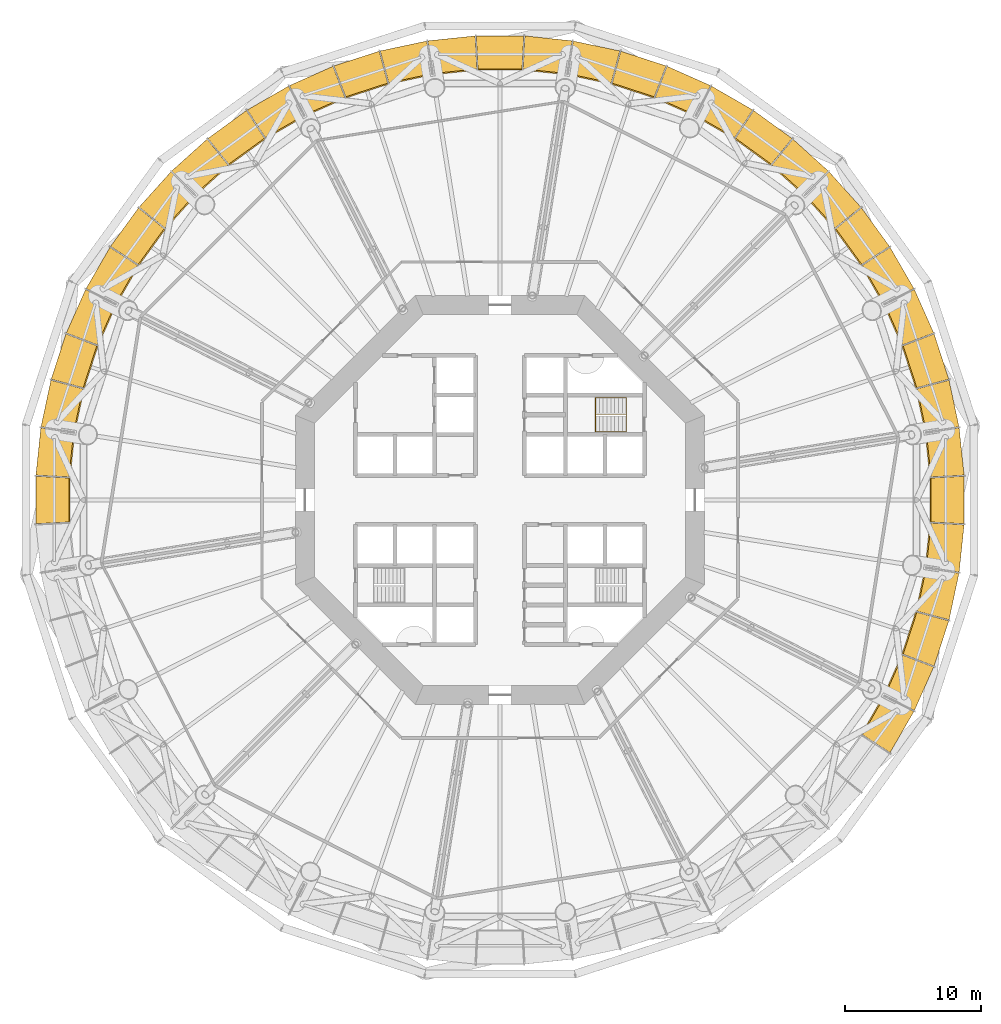
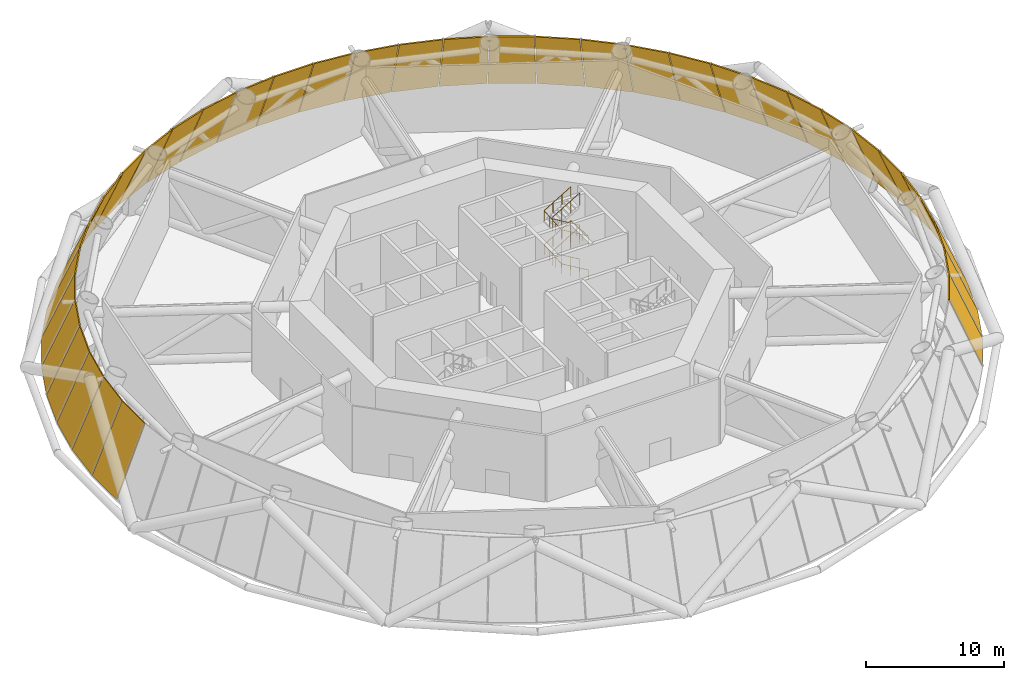
# One storey, part 14 of 14: 36 shading devices, 2 railings.
"""IFC4 building model written with IfcOpenShell, lengths in metres."""

from ifc_helpers import new_model, si_unit, direction, frame, origin, origin_2d, place, context, subcontext, project, spatial, polyline, circle, outline, extrude, material, layer, layer_set, type_object, element, save


model = new_model("IFC4")

# Units and contexts
model_context = context("Model", 3, precision=1e-05, world=origin(), true_north=direction((0.0, 1.0)))
body_context = subcontext(model_context, "Body", "Model", "MODEL_VIEW")
ifc_project = project(units=[si_unit("LENGTHUNIT", "METRE"), si_unit("AREAUNIT", "SQUARE_METRE"), si_unit("VOLUMEUNIT", "CUBIC_METRE"), si_unit("PLANEANGLEUNIT", "RADIAN"), si_unit("MASSUNIT", "GRAM", prefix="KILO")], contexts=[model_context])

# Site, building, storey
site_placement = place(None, origin())
site = spatial("IfcSite", under=ifc_project, at=site_placement, CompositionType="ELEMENT")
building_placement = place(site_placement, origin())
building = spatial("IfcBuilding", under=site, at=building_placement, Name="Entoto Ring Tower", CompositionType="ELEMENT")
storey_placement = place(building_placement, frame((0.0, 0.0, 74.0)))
storey = spatial("IfcBuildingStorey", under=building, at=storey_placement, Name="L16", CompositionType="ELEMENT", Elevation=74.0)

# Shading devices
ifc_material_1 = material(Name="Anodised aluminium", Category="aluminium")
ifc_layer = layer(ifc_material_1, 0.10009765625)
ifc_layer_set = layer_set([ifc_layer], Name="Anodised aluminium")
shading_device_type = type_object("IfcShadingDeviceType", Name="Louvre bank 100 mm anodised aluminium", PredefinedType="JALOUSIE", material=ifc_layer_set)
shading_device_1_placement = place(storey_placement, frame((123.664306640625, 85.372314453125, 0.03857421875), z_axis=(0.902909987231, 0.19190524491, 0.384611403803), x_axis=(-0.20789020714, 0.978152166843, -1.6606017e-05)))
element("IfcShadingDevice", 1, at=shading_device_1_placement, inside=storey, type_object=shading_device_type, Name="LOUVRE L16-00", PredefinedType="JALOUSIE", context=body_context, shape_type="SweptSolid", body=[
    extrude(outline(polyline([(0.0, 0.0), (3.4885416872972406, 5.551115123125783e-17), (3.361411349583946, 6.295866216661748), (0.12688706960633642, 6.295745269922052), (0.0, 0.0)])), origin(), (0.0, 0.0, -1.0), 0.10009765625),
])
shading_device_2_placement = place(storey_placement, frame((122.91845703125, 88.86181640625, 0.03857421875), z_axis=(0.877892095982, 0.285267163191, 0.384614239749), x_axis=(-0.309042211234, 0.951048322442, 7.429695e-06)))
element("IfcShadingDevice", 2, at=shading_device_2_placement, inside=storey, type_object=shading_device_type, Name="LOUVRE L16-01", PredefinedType="JALOUSIE", context=body_context, shape_type="SweptSolid", body=[
    extrude(outline(polyline([(0.0, 0.0), (3.488409682245697, 0.0), (3.3616604780128694, 6.295786746509325), (0.1271810650329989, 6.295840857918346), (0.0, 0.0)])), origin(), (0.0, 0.0, -1.0), 0.10009765625),
])
shading_device_3_placement = place(storey_placement, frame((121.811767578125, 92.254150390625, 0.03857421875), z_axis=(0.843278285989, 0.375449562023, 0.384602858486), x_axis=(-0.406734877609, 0.913546243677, 3.98764e-07)))
element("IfcShadingDevice", 3, at=shading_device_3_placement, inside=storey, type_object=shading_device_type, Name="LOUVRE L16-02", PredefinedType="JALOUSIE", context=body_context, shape_type="SweptSolid", body=[
    extrude(outline(polyline([(0.0, 0.0), (3.488617132231978, -1.1102230246251565e-16), (3.3616704553291115, 6.295780008429408), (0.12693950100770324, 6.2957829128638085), (0.0, 0.0)])), origin(), (0.0, 0.0, -1.0), 0.10009765625),
])
shading_device_4_placement = place(storey_placement, frame((120.3564453125, 95.512451171875, 0.03857421875), z_axis=(0.799417979185, 0.461522422736, 0.384614024533), x_axis=(-0.499983906631, 0.866034695085, 4.403413e-06)))
element("IfcShadingDevice", 4, at=shading_device_4_placement, inside=storey, type_object=shading_device_type, Name="LOUVRE L16-03", PredefinedType="JALOUSIE", context=body_context, shape_type="SweptSolid", body=[
    extrude(outline(polyline([(0.0, 0.0), (3.488329674304471, 0.0), (3.361186870779202, 6.29579715813311), (0.12662254242796223, 6.2958292287652196), (0.0, 0.0)])), origin(), (0.0, 0.0, -1.0), 0.10009765625),
])
shading_device_5_placement = place(storey_placement, frame((118.56884765625, 98.6005859375, 0.03857421875), z_axis=(0.746783475485, 0.542572822255, 0.384615617587), x_axis=(-0.587793049186, 0.809011329362, 1.7097404e-05)))
element("IfcShadingDevice", 5, at=shading_device_5_placement, inside=storey, type_object=shading_device_type, Name="LOUVRE L16-04", PredefinedType="JALOUSIE", context=body_context, shape_type="SweptSolid", body=[
    extrude(outline(polyline([(0.0, 0.0), (3.488338812551327, 0.0), (3.3615499775216637, 6.2957554571779415), (0.12694623888782516, 6.29587998079726), (0.0, 0.0)])), origin(), (0.0, 0.0, -1.0), 0.10009765625),
])
shading_device_6_placement = place(storey_placement, frame((116.468017578125, 101.48486328125, 0.03857421875), z_axis=(0.685973480433, 0.617657708682, 0.384628832835), x_axis=(-0.669135771194, 0.743140174962, 8.153709e-06)))
element("IfcShadingDevice", 6, at=shading_device_6_placement, inside=storey, type_object=shading_device_type, Name="LOUVRE L16-05", PredefinedType="JALOUSIE", context=body_context, shape_type="SweptSolid", body=[
    extrude(outline(polyline([(0.0, 0.0), (3.488347042512042, -1.1102230246251565e-16), (3.3615065061916796, 6.295825583545586), (0.12692477418292608, 6.295884968780477), (0.0, 0.0)])), origin(), (0.0, 0.0, -1.0), 0.10009765625),
])
shading_device_7_placement = place(storey_placement, frame((114.0771484375, 104.1337890625, 0.03857421875), z_axis=(0.617657708682, 0.685973480433, 0.384628832835), x_axis=(-0.743140174962, 0.669135771194, -8.153709e-06)))
element("IfcShadingDevice", 7, at=shading_device_7_placement, inside=storey, type_object=shading_device_type, Name="LOUVRE L16-06", PredefinedType="JALOUSIE", context=body_context, shape_type="SweptSolid", body=[
    extrude(outline(polyline([(0.0, 0.0), (3.488347042512042, 1.1102230246251565e-16), (3.361422268329115, 6.295884968780477), (0.12684053632036169, 6.295825583545586), (0.0, 0.0)])), origin(), (0.0, 0.0, -1.0), 0.10009765625),
])
shading_device_8_placement = place(storey_placement, frame((111.422607421875, 106.518310546875, 0.03857421875), z_axis=(0.542572822255, 0.746783475485, 0.384615617587), x_axis=(-0.809011329362, 0.587793049186, -1.7097404e-05)))
element("IfcShadingDevice", 8, at=shading_device_8_placement, inside=storey, type_object=shading_device_type, Name="LOUVRE L16-07", PredefinedType="JALOUSIE", context=body_context, shape_type="SweptSolid", body=[
    extrude(outline(polyline([(0.0, 0.0), (3.488338812551327, 0.0), (3.361392573663502, 6.29587998079726), (0.12678883502966345, 6.295755457177941), (0.0, 0.0)])), origin(), (0.0, 0.0, -1.0), 0.10009765625),
])
shading_device_9_placement = place(storey_placement, frame((108.533447265625, 108.6123046875, 0.03857421875), z_axis=(0.461522422736, 0.799417979185, 0.384614024533), x_axis=(-0.866034695085, 0.499983906631, -4.403413e-06)))
element("IfcShadingDevice", 9, at=shading_device_9_placement, inside=storey, type_object=shading_device_type, Name="LOUVRE L16-08", PredefinedType="JALOUSIE", context=body_context, shape_type="SweptSolid", body=[
    extrude(outline(polyline([(0.0, 0.0), (3.488329674304471, 0.0), (3.361707131876509, 6.2958292287652196), (0.12714280352526897, 6.29579715813311), (0.0, 0.0)])), origin(), (0.0, 0.0, -1.0), 0.10009765625),
])
shading_device_10_placement = place(storey_placement, frame((105.441162109375, 110.392822265625, 0.03857421875), z_axis=(0.375449562023, 0.843278285989, 0.384602858486), x_axis=(-0.913546243677, 0.406734877609, -3.98764e-07)))
element("IfcShadingDevice", 10, at=shading_device_10_placement, inside=storey, type_object=shading_device_type, Name="LOUVRE L16-09", PredefinedType="JALOUSIE", context=body_context, shape_type="SweptSolid", body=[
    extrude(outline(polyline([(0.0, 0.0), (3.488617132231978, 1.1102230246251565e-16), (3.3616776312242744, 6.2957829128638085), (0.12694667690286632, 6.295780008429408), (0.0, 0.0)])), origin(), (0.0, 0.0, -1.0), 0.10009765625),
])
shading_device_11_placement = place(storey_placement, frame((102.179443359375, 111.84033203125, 0.03857421875), z_axis=(0.285267163191, 0.877892095982, 0.384614239749), x_axis=(-0.951048322442, 0.309042211234, -7.429695e-06)))
element("IfcShadingDevice", 11, at=shading_device_11_placement, inside=storey, type_object=shading_device_type, Name="LOUVRE L16-10", PredefinedType="JALOUSIE", context=body_context, shape_type="SweptSolid", body=[
    extrude(outline(polyline([(0.0, 0.0), (3.488409682245697, 0.0), (3.3612286172126984, 6.295840857918345), (0.12674920423282818, 6.295786746509325), (0.0, 0.0)])), origin(), (0.0, 0.0, -1.0), 0.10009765625),
])
shading_device_12_placement = place(storey_placement, frame((98.78466796875, 112.939208984375, 0.03857421875), z_axis=(0.19190524491, 0.902909987231, 0.384611403803), x_axis=(-0.978152166843, 0.20789020714, 1.6606017e-05)))
element("IfcShadingDevice", 12, at=shading_device_12_placement, inside=storey, type_object=shading_device_type, Name="LOUVRE L16-11", PredefinedType="JALOUSIE", context=body_context, shape_type="SweptSolid", body=[
    extrude(outline(polyline([(0.0, 0.0), (3.4885416872972406, -5.551115123125783e-17), (3.3616546176909043, 6.295745269922052), (0.12713033771329438, 6.295866216661748), (0.0, 0.0)])), origin(), (0.0, 0.0, -1.0), 0.10009765625),
])
shading_device_13_placement = place(storey_placement, frame((95.29345703125, 113.677001953125, 0.03857421875), z_axis=(0.096471613797, 0.91802226791, 0.384614538664), x_axis=(-0.994524154998, 0.10450696166, 9.443835e-06)))
element("IfcShadingDevice", 13, at=shading_device_13_placement, inside=storey, type_object=shading_device_type, Name="LOUVRE L16-12", PredefinedType="JALOUSIE", context=body_context, shape_type="SweptSolid", body=[
    extrude(outline(polyline([(0.0, 0.0), (3.488577065537489, 2.7755575615628914e-17), (3.3615953252424773, 6.295780261680542), (0.1270756943443168, 6.2958490444572055), (0.0, 0.0)])), origin(), (0.0, 0.0, -1.0), 0.10009765625),
])
shading_device_14_placement = place(storey_placement, frame((91.744140625, 114.045654296875, 0.03857421875), z_axis=(0.0, 0.923081512173, 0.384604370599), x_axis=(-1.0, 0.0, 0.0)))
element("IfcShadingDevice", 14, at=shading_device_14_placement, inside=storey, type_object=shading_device_type, Name="LOUVRE L16-13", PredefinedType="JALOUSIE", context=body_context, shape_type="SweptSolid", body=[
    extrude(outline(polyline([(0.0, 0.0), (3.48828125, 0.0), (3.361328125, 6.295785757659699), (0.126953125, 6.295785757659699), (0.0, 0.0)])), origin(), (0.0, 0.0, -1.0), 0.10009765625),
])
shading_device_15_placement = place(storey_placement, frame((88.176025390625, 114.04150390625, 0.03857421875), z_axis=(-0.096471613797, 0.91802226791, 0.384614538664), x_axis=(-0.994524154998, -0.10450696166, -9.443835e-06)))
element("IfcShadingDevice", 15, at=shading_device_15_placement, inside=storey, type_object=shading_device_type, Name="LOUVRE L16-14", PredefinedType="JALOUSIE", context=body_context, shape_type="SweptSolid", body=[
    extrude(outline(polyline([(0.0, 0.0), (3.488577065537489, -2.7755575615628914e-17), (3.3615013711931723, 6.2958490444572055), (0.12698174029501186, 6.295780261680542), (0.0, 0.0)])), origin(), (0.0, 0.0, -1.0), 0.10009765625),
])
shading_device_16_placement = place(storey_placement, frame((84.627685546875, 113.664306640625, 0.03857421875), z_axis=(-0.19190524491, 0.902909987231, 0.384611403803), x_axis=(-0.978152166843, -0.20789020714, -1.6606017e-05)))
element("IfcShadingDevice", 16, at=shading_device_16_placement, inside=storey, type_object=shading_device_type, Name="LOUVRE L16-15", PredefinedType="JALOUSIE", context=body_context, shape_type="SweptSolid", body=[
    extrude(outline(polyline([(0.0, 0.0), (3.4885416872972406, 5.551115123125783e-17), (3.361411349583946, 6.295866216661748), (0.12688706960633642, 6.295745269922052), (0.0, 0.0)])), origin(), (0.0, 0.0, -1.0), 0.10009765625),
])
shading_device_17_placement = place(storey_placement, frame((81.13818359375, 112.91845703125, 0.03857421875), z_axis=(-0.285267163191, 0.877892095982, 0.384614239749), x_axis=(-0.951048322442, -0.309042211234, 7.429695e-06)))
element("IfcShadingDevice", 17, at=shading_device_17_placement, inside=storey, type_object=shading_device_type, Name="LOUVRE L16-16", PredefinedType="JALOUSIE", context=body_context, shape_type="SweptSolid", body=[
    extrude(outline(polyline([(0.0, 0.0), (3.488409682245697, 0.0), (3.3616604780128694, 6.295786746509325), (0.1271810650329989, 6.295840857918346), (0.0, 0.0)])), origin(), (0.0, 0.0, -1.0), 0.10009765625),
])
shading_device_18_placement = place(storey_placement, frame((77.745849609375, 111.811767578125, 0.03857421875), z_axis=(-0.375449562023, 0.843278285989, 0.384602858486), x_axis=(-0.913546243677, -0.406734877609, 3.98764e-07)))
element("IfcShadingDevice", 18, at=shading_device_18_placement, inside=storey, type_object=shading_device_type, Name="LOUVRE L16-17", PredefinedType="JALOUSIE", context=body_context, shape_type="SweptSolid", body=[
    extrude(outline(polyline([(0.0, 0.0), (3.488617132231978, -1.1102230246251565e-16), (3.3616704553291115, 6.295780008429408), (0.12693950100770324, 6.2957829128638085), (0.0, 0.0)])), origin(), (0.0, 0.0, -1.0), 0.10009765625),
])
shading_device_19_placement = place(storey_placement, frame((74.487548828125, 110.3564453125, 0.03857421875), z_axis=(-0.461522422736, 0.799417979185, 0.384614024533), x_axis=(-0.866034695085, -0.499983906631, 4.403413e-06)))
element("IfcShadingDevice", 19, at=shading_device_19_placement, inside=storey, type_object=shading_device_type, Name="LOUVRE L16-18", PredefinedType="JALOUSIE", context=body_context, shape_type="SweptSolid", body=[
    extrude(outline(polyline([(0.0, 0.0), (3.488329674304471, 0.0), (3.361186870779202, 6.29579715813311), (0.12662254242796223, 6.2958292287652196), (0.0, 0.0)])), origin(), (0.0, 0.0, -1.0), 0.10009765625),
])
shading_device_20_placement = place(storey_placement, frame((71.3994140625, 108.56884765625, 0.03857421875), z_axis=(-0.542572822255, 0.746783475485, 0.384615617587), x_axis=(-0.809011329362, -0.587793049186, 1.7097404e-05)))
element("IfcShadingDevice", 20, at=shading_device_20_placement, inside=storey, type_object=shading_device_type, Name="LOUVRE L16-19", PredefinedType="JALOUSIE", context=body_context, shape_type="SweptSolid", body=[
    extrude(outline(polyline([(0.0, 0.0), (3.488338812551327, 0.0), (3.3615499775216637, 6.2957554571779415), (0.12694623888782516, 6.29587998079726), (0.0, 0.0)])), origin(), (0.0, 0.0, -1.0), 0.10009765625),
])
shading_device_21_placement = place(storey_placement, frame((68.51513671875, 106.468017578125, 0.03857421875), z_axis=(-0.617657708682, 0.685973480433, 0.384628832835), x_axis=(-0.743140174962, -0.669135771194, 8.153709e-06)))
element("IfcShadingDevice", 21, at=shading_device_21_placement, inside=storey, type_object=shading_device_type, Name="LOUVRE L16-20", PredefinedType="JALOUSIE", context=body_context, shape_type="SweptSolid", body=[
    extrude(outline(polyline([(0.0, 0.0), (3.488347042512042, -1.1102230246251565e-16), (3.3615065061916796, 6.295825583545586), (0.12692477418292608, 6.295884968780477), (0.0, 0.0)])), origin(), (0.0, 0.0, -1.0), 0.10009765625),
])
shading_device_22_placement = place(storey_placement, frame((65.8662109375, 104.0771484375, 0.03857421875), z_axis=(-0.685973480433, 0.617657708682, 0.384628832835), x_axis=(-0.669135771194, -0.743140174962, -8.153709e-06)))
element("IfcShadingDevice", 22, at=shading_device_22_placement, inside=storey, type_object=shading_device_type, Name="LOUVRE L16-21", PredefinedType="JALOUSIE", context=body_context, shape_type="SweptSolid", body=[
    extrude(outline(polyline([(0.0, 0.0), (3.488347042512042, 1.1102230246251565e-16), (3.361422268329115, 6.295884968780477), (0.12684053632036169, 6.295825583545586), (0.0, 0.0)])), origin(), (0.0, 0.0, -1.0), 0.10009765625),
])
shading_device_23_placement = place(storey_placement, frame((63.481689453125, 101.422607421875, 0.03857421875), z_axis=(-0.746783475485, 0.542572822255, 0.384615617587), x_axis=(-0.587793049186, -0.809011329362, -1.7097404e-05)))
element("IfcShadingDevice", 23, at=shading_device_23_placement, inside=storey, type_object=shading_device_type, Name="LOUVRE L16-22", PredefinedType="JALOUSIE", context=body_context, shape_type="SweptSolid", body=[
    extrude(outline(polyline([(0.0, 0.0), (3.488338812551327, 0.0), (3.361392573663502, 6.29587998079726), (0.12678883502966345, 6.295755457177941), (0.0, 0.0)])), origin(), (0.0, 0.0, -1.0), 0.10009765625),
])
shading_device_24_placement = place(storey_placement, frame((61.3876953125, 98.533447265625, 0.03857421875), z_axis=(-0.799417979185, 0.461522422736, 0.384614024533), x_axis=(-0.499983906631, -0.866034695085, -4.403413e-06)))
element("IfcShadingDevice", 24, at=shading_device_24_placement, inside=storey, type_object=shading_device_type, Name="LOUVRE L16-23", PredefinedType="JALOUSIE", context=body_context, shape_type="SweptSolid", body=[
    extrude(outline(polyline([(0.0, 0.0), (3.488329674304471, 0.0), (3.361707131876509, 6.2958292287652196), (0.12714280352526897, 6.29579715813311), (0.0, 0.0)])), origin(), (0.0, 0.0, -1.0), 0.10009765625),
])
shading_device_25_placement = place(storey_placement, frame((59.607177734375, 95.441162109375, 0.03857421875), z_axis=(-0.843278285989, 0.375449562023, 0.384602858486), x_axis=(-0.406734877609, -0.913546243677, -3.98764e-07)))
element("IfcShadingDevice", 25, at=shading_device_25_placement, inside=storey, type_object=shading_device_type, Name="LOUVRE L16-24", PredefinedType="JALOUSIE", context=body_context, shape_type="SweptSolid", body=[
    extrude(outline(polyline([(0.0, 0.0), (3.488617132231978, 1.1102230246251565e-16), (3.3616776312242744, 6.2957829128638085), (0.12694667690286632, 6.295780008429408), (0.0, 0.0)])), origin(), (0.0, 0.0, -1.0), 0.10009765625),
])
shading_device_26_placement = place(storey_placement, frame((58.15966796875, 92.179443359375, 0.03857421875), z_axis=(-0.877892095982, 0.285267163191, 0.384614239749), x_axis=(-0.309042211234, -0.951048322442, -7.429695e-06)))
element("IfcShadingDevice", 26, at=shading_device_26_placement, inside=storey, type_object=shading_device_type, Name="LOUVRE L16-25", PredefinedType="JALOUSIE", context=body_context, shape_type="SweptSolid", body=[
    extrude(outline(polyline([(0.0, 0.0), (3.488409682245697, 0.0), (3.3612286172126984, 6.295840857918345), (0.12674920423282818, 6.295786746509325), (0.0, 0.0)])), origin(), (0.0, 0.0, -1.0), 0.10009765625),
])
shading_device_27_placement = place(storey_placement, frame((57.060791015625, 88.78466796875, 0.03857421875), z_axis=(-0.902909987231, 0.19190524491, 0.384611403803), x_axis=(-0.20789020714, -0.978152166843, 1.6606017e-05)))
element("IfcShadingDevice", 27, at=shading_device_27_placement, inside=storey, type_object=shading_device_type, Name="LOUVRE L16-26", PredefinedType="JALOUSIE", context=body_context, shape_type="SweptSolid", body=[
    extrude(outline(polyline([(0.0, 0.0), (3.4885416872972406, -5.551115123125783e-17), (3.3616546176909043, 6.295745269922052), (0.12713033771329438, 6.295866216661748), (0.0, 0.0)])), origin(), (0.0, 0.0, -1.0), 0.10009765625),
])
shading_device_28_placement = place(storey_placement, frame((56.322998046875, 85.29345703125, 0.03857421875), z_axis=(-0.91802226791, 0.096471613797, 0.384614538664), x_axis=(-0.10450696166, -0.994524154998, 9.443835e-06)))
element("IfcShadingDevice", 28, at=shading_device_28_placement, inside=storey, type_object=shading_device_type, Name="LOUVRE L16-27", PredefinedType="JALOUSIE", context=body_context, shape_type="SweptSolid", body=[
    extrude(outline(polyline([(0.0, 0.0), (3.488577065537489, 2.7755575615628914e-17), (3.3615953252424773, 6.295780261680542), (0.1270756943443168, 6.2958490444572055), (0.0, 0.0)])), origin(), (0.0, 0.0, -1.0), 0.10009765625),
])
shading_device_29_placement = place(storey_placement, frame((55.954345703125, 81.744140625, 0.03857421875), z_axis=(-0.923081512173, 0.0, 0.384604370599), x_axis=(0.0, -1.0, 0.0)))
element("IfcShadingDevice", 29, at=shading_device_29_placement, inside=storey, type_object=shading_device_type, Name="LOUVRE L16-28", PredefinedType="JALOUSIE", context=body_context, shape_type="SweptSolid", body=[
    extrude(outline(polyline([(0.0, 0.0), (3.48828125, 0.0), (3.361328125, 6.295785757659699), (0.126953125, 6.295785757659699), (0.0, 0.0)])), origin(), (0.0, 0.0, -1.0), 0.10009765625),
])
shading_device_30_placement = place(storey_placement, frame((118.6123046875, 61.466552734375, 0.03857421875), z_axis=(0.799417979185, -0.461522422736, 0.384614024533), x_axis=(0.499983906631, 0.866034695085, -4.403413e-06)))
element("IfcShadingDevice", 30, at=shading_device_30_placement, inside=storey, type_object=shading_device_type, Name="LOUVRE L16-53", PredefinedType="JALOUSIE", context=body_context, shape_type="SweptSolid", body=[
    extrude(outline(polyline([(0.0, 0.0), (3.488329674304471, 0.0), (3.361707131876509, 6.2958292287652196), (0.12714280352526897, 6.29579715813311), (0.0, 0.0)])), origin(), (0.0, 0.0, -1.0), 0.10009765625),
])
shading_device_31_placement = place(storey_placement, frame((120.392822265625, 64.558837890625, 0.03857421875), z_axis=(0.843278285989, -0.375449562023, 0.384602858486), x_axis=(0.406734877609, 0.913546243677, -3.98764e-07)))
element("IfcShadingDevice", 31, at=shading_device_31_placement, inside=storey, type_object=shading_device_type, Name="LOUVRE L16-54", PredefinedType="JALOUSIE", context=body_context, shape_type="SweptSolid", body=[
    extrude(outline(polyline([(0.0, 0.0), (3.488617132231978, 1.1102230246251565e-16), (3.3616776312242744, 6.2957829128638085), (0.12694667690286632, 6.295780008429408), (0.0, 0.0)])), origin(), (0.0, 0.0, -1.0), 0.10009765625),
])
shading_device_32_placement = place(storey_placement, frame((121.84033203125, 67.820556640625, 0.03857421875), z_axis=(0.877892095982, -0.285267163191, 0.384614239749), x_axis=(0.309042211234, 0.951048322442, -7.429695e-06)))
element("IfcShadingDevice", 32, at=shading_device_32_placement, inside=storey, type_object=shading_device_type, Name="LOUVRE L16-55", PredefinedType="JALOUSIE", context=body_context, shape_type="SweptSolid", body=[
    extrude(outline(polyline([(0.0, 0.0), (3.488409682245697, 0.0), (3.3612286172126984, 6.295840857918345), (0.12674920423282818, 6.295786746509325), (0.0, 0.0)])), origin(), (0.0, 0.0, -1.0), 0.10009765625),
])
shading_device_33_placement = place(storey_placement, frame((122.939208984375, 71.21533203125, 0.03857421875), z_axis=(0.902909987231, -0.19190524491, 0.384611403803), x_axis=(0.20789020714, 0.978152166843, 1.6606017e-05)))
element("IfcShadingDevice", 33, at=shading_device_33_placement, inside=storey, type_object=shading_device_type, Name="LOUVRE L16-56", PredefinedType="JALOUSIE", context=body_context, shape_type="SweptSolid", body=[
    extrude(outline(polyline([(0.0, 0.0), (3.4885416872972406, -5.551115123125783e-17), (3.3616546176909043, 6.295745269922052), (0.12713033771329438, 6.295866216661748), (0.0, 0.0)])), origin(), (0.0, 0.0, -1.0), 0.10009765625),
])
shading_device_34_placement = place(storey_placement, frame((123.677001953125, 74.70654296875, 0.03857421875), z_axis=(0.91802226791, -0.096471613797, 0.384614538664), x_axis=(0.10450696166, 0.994524154998, 9.443835e-06)))
element("IfcShadingDevice", 34, at=shading_device_34_placement, inside=storey, type_object=shading_device_type, Name="LOUVRE L16-57", PredefinedType="JALOUSIE", context=body_context, shape_type="SweptSolid", body=[
    extrude(outline(polyline([(0.0, 0.0), (3.488577065537489, 2.7755575615628914e-17), (3.3615953252424773, 6.295780261680542), (0.1270756943443168, 6.2958490444572055), (0.0, 0.0)])), origin(), (0.0, 0.0, -1.0), 0.10009765625),
])
shading_device_35_placement = place(storey_placement, frame((124.045654296875, 78.255859375, 0.03857421875), z_axis=(0.923081512173, 0.0, 0.384604370599), x_axis=(0.0, 1.0, 0.0)))
element("IfcShadingDevice", 35, at=shading_device_35_placement, inside=storey, type_object=shading_device_type, Name="LOUVRE L16-58", PredefinedType="JALOUSIE", context=body_context, shape_type="SweptSolid", body=[
    extrude(outline(polyline([(0.0, 0.0), (3.48828125, 0.0), (3.361328125, 6.295785757659699), (0.126953125, 6.295785757659699), (0.0, 0.0)])), origin(), (0.0, 0.0, -1.0), 0.10009765625),
])
shading_device_36_placement = place(storey_placement, frame((124.04150390625, 81.823974609375, 0.03857421875), z_axis=(0.91802226791, 0.096471613797, 0.384614538664), x_axis=(-0.10450696166, 0.994524154998, -9.443835e-06)))
element("IfcShadingDevice", 36, at=shading_device_36_placement, inside=storey, type_object=shading_device_type, Name="LOUVRE L16-59", PredefinedType="JALOUSIE", context=body_context, shape_type="SweptSolid", body=[
    extrude(outline(polyline([(0.0, 0.0), (3.488577065537489, -2.7755575615628914e-17), (3.3615013711931723, 6.2958490444572055), (0.12698174029501186, 6.295780261680542), (0.0, 0.0)])), origin(), (0.0, 0.0, -1.0), 0.10009765625),
])

# Railings
ifc_material_2 = material(Name="Steel S275", Category="steel")
railing_type_1 = type_object("IfcRailingType", Name="Stair guard 1100 mm steel", PredefinedType="GUARDRAIL", material=ifc_material_2)
railing_1_placement = place(storey_placement, frame((99.25, 86.25, 0.166748046875)))
element("IfcRailing", 37, at=railing_1_placement, inside=storey, type_object=railing_type_1, Name="Guard ST1", PredefinedType="GUARDRAIL", context=body_context, shape_type="SweptSolid", body=[
    extrude(circle(Radius=0.02392578125, at=origin_2d()), frame((0.0, 0.0, 1.076171875), z_axis=(-0.859305625298, 0.0, 0.511462454469), x_axis=(0.0, -1.0, 0.0)), (0.0, 0.0, 1.0), 2.606689453125),
    extrude(circle(Radius=0.02392578125, at=origin_2d()), frame((-2.239990234375, 0.0, 2.4091796875), z_axis=(0.0, 0.0, 1.0), x_axis=(1.0, 0.0, 0.0)), (0.0, 0.0, 1.0), 0.166748046875),
    extrude(circle(Radius=0.02392578125, at=origin_2d()), frame((-2.239990234375, 0.0, 2.576171875), z_axis=(0.859305625298, 0.0, 0.511462454469), x_axis=(0.0, 1.0, 0.0)), (0.0, 0.0, 1.0), 2.606689453125),
    extrude(circle(Radius=0.02392578125, at=origin_2d()), frame((0.0, 0.0, 3.9091796875), z_axis=(0.0, 0.0, 1.0), x_axis=(1.0, 0.0, 0.0)), (0.0, 0.0, 1.0), 0.166748046875),
    extrude(circle(Radius=0.02392578125, at=origin_2d()), frame((0.0, 0.0, 4.076171875), z_axis=(-0.859305625298, 0.0, 0.511462454469), x_axis=(0.0, -1.0, 0.0)), (0.0, 0.0, 1.0), 2.606689453125),
    extrude(circle(Radius=0.02392578125, at=origin_2d()), frame((-2.239990234375, 0.0, 5.4091796875), z_axis=(0.0, 0.0, 1.0), x_axis=(1.0, 0.0, 0.0)), (0.0, 0.0, 1.0), 0.166748046875),
    extrude(circle(Radius=0.02392578125, at=origin_2d()), frame((-2.239990234375, 0.0, 5.576171875), z_axis=(0.859305625298, 0.0, 0.511462454469), x_axis=(0.0, 1.0, 0.0)), (0.0, 0.0, 1.0), 2.606689453125),
    extrude(circle(Radius=0.02099609375, at=origin_2d()), origin(), (0.0, 0.0, 1.0), 1.052001953125),
    extrude(circle(Radius=0.02099609375, at=origin_2d()), frame((-0.74658203125, 0.0, 0.4443359375)), (0.0, 0.0, 1.0), 1.052001953125),
    extrude(circle(Radius=0.02099609375, at=origin_2d()), frame((-1.493408203125, 0.0, 0.888916015625)), (0.0, 0.0, 1.0), 1.052001953125),
    extrude(circle(Radius=0.02099609375, at=origin_2d()), frame((-2.239990234375, 0.0, 1.333251953125)), (0.0, 0.0, 1.0), 1.052001953125),
    extrude(circle(Radius=0.02099609375, at=origin_2d()), frame((-2.239990234375, 0.0, 1.5)), (0.0, 0.0, 1.0), 1.052001953125),
    extrude(circle(Radius=0.02099609375, at=origin_2d()), frame((-1.493408203125, 0.0, 1.9443359375)), (0.0, 0.0, 1.0), 1.052001953125),
    extrude(circle(Radius=0.02099609375, at=origin_2d()), frame((-0.74658203125, 0.0, 2.388916015625)), (0.0, 0.0, 1.0), 1.052001953125),
    extrude(circle(Radius=0.02099609375, at=origin_2d()), frame((0.0, 0.0, 2.833251953125)), (0.0, 0.0, 1.0), 1.052001953125),
    extrude(circle(Radius=0.02099609375, at=origin_2d()), frame((0.0, 0.0, 3.0)), (0.0, 0.0, 1.0), 1.052001953125),
    extrude(circle(Radius=0.02099609375, at=origin_2d()), frame((-0.74658203125, 0.0, 3.4443359375)), (0.0, 0.0, 1.0), 1.052001953125),
    extrude(circle(Radius=0.02099609375, at=origin_2d()), frame((-1.493408203125, 0.0, 3.888916015625)), (0.0, 0.0, 1.0), 1.052001953125),
    extrude(circle(Radius=0.02099609375, at=origin_2d()), frame((-2.239990234375, 0.0, 4.333251953125)), (0.0, 0.0, 1.0), 1.052001953125),
    extrude(circle(Radius=0.02099609375, at=origin_2d()), frame((-2.239990234375, 0.0, 4.5)), (0.0, 0.0, 1.0), 1.052001953125),
    extrude(circle(Radius=0.02099609375, at=origin_2d()), frame((-1.493408203125, 0.0, 4.9443359375)), (0.0, 0.0, 1.0), 1.052001953125),
    extrude(circle(Radius=0.02099609375, at=origin_2d()), frame((-0.74658203125, 0.0, 5.388916015625)), (0.0, 0.0, 1.0), 1.052001953125),
    extrude(circle(Radius=0.02099609375, at=origin_2d()), frame((0.0, 0.0, 5.833251953125)), (0.0, 0.0, 1.0), 1.052001953125),
])
ifc_material_3 = material(Name="Steel S275", Category="steel")
railing_type_2 = type_object("IfcRailingType", Name="Stair handrail 900 mm steel", PredefinedType="HANDRAIL", material=ifc_material_3)
railing_2_placement = place(storey_placement, frame((99.25, 85.0, 0.166748046875)))
element("IfcRailing", 38, at=railing_2_placement, inside=storey, type_object=railing_type_2, Name="Handrail ST1", PredefinedType="HANDRAIL", context=body_context, shape_type="SweptSolid", body=[
    extrude(circle(Radius=0.02392578125, at=origin_2d()), frame((0.0, 0.0, 0.8759765625), z_axis=(-0.859305625298, 0.0, 0.511462454469), x_axis=(0.0, -1.0, 0.0)), (0.0, 0.0, 1.0), 2.606689453125),
    extrude(circle(Radius=0.02392578125, at=origin_2d()), frame((-2.239990234375, 0.0, 2.208984375), z_axis=(0.0, 0.997783001586, 0.066551346688), x_axis=(-1.0, 0.0, 0.0)), (0.0, 0.0, 1.0), 2.505615234375),
    extrude(circle(Radius=0.02392578125, at=origin_2d()), frame((-2.239990234375, 2.5, 2.3759765625), z_axis=(0.859305625298, 0.0, 0.511462454469), x_axis=(0.0, 1.0, 0.0)), (0.0, 0.0, 1.0), 2.606689453125),
    extrude(circle(Radius=0.02392578125, at=origin_2d()), frame((0.0, 2.5, 3.708984375), z_axis=(0.0, -0.997783001586, 0.066551346688), x_axis=(1.0, 0.0, 0.0)), (0.0, 0.0, 1.0), 2.505615234375),
    extrude(circle(Radius=0.02392578125, at=origin_2d()), frame((0.0, 0.0, 3.8759765625), z_axis=(-0.859305625298, 0.0, 0.511462454469), x_axis=(0.0, -1.0, 0.0)), (0.0, 0.0, 1.0), 2.606689453125),
    extrude(circle(Radius=0.02392578125, at=origin_2d()), frame((-2.239990234375, 0.0, 5.208984375), z_axis=(0.0, 0.997783001586, 0.066551346688), x_axis=(-1.0, 0.0, 0.0)), (0.0, 0.0, 1.0), 2.505615234375),
    extrude(circle(Radius=0.02392578125, at=origin_2d()), frame((-2.239990234375, 2.5, 5.3759765625), z_axis=(0.859305625298, 0.0, 0.511462454469), x_axis=(0.0, 1.0, 0.0)), (0.0, 0.0, 1.0), 2.606689453125),
    extrude(circle(Radius=0.02099609375, at=origin_2d()), origin(), (0.0, 0.0, 1.0), 0.851806640625),
    extrude(circle(Radius=0.02099609375, at=origin_2d()), frame((-0.74658203125, 0.0, 0.4443359375)), (0.0, 0.0, 1.0), 0.851806640625),
    extrude(circle(Radius=0.02099609375, at=origin_2d()), frame((-1.493408203125, 0.0, 0.888916015625)), (0.0, 0.0, 1.0), 0.851806640625),
    extrude(circle(Radius=0.02099609375, at=origin_2d()), frame((-2.239990234375, 0.0, 1.333251953125)), (0.0, 0.0, 1.0), 0.851806640625),
    extrude(circle(Radius=0.02099609375, at=origin_2d()), frame((-2.239990234375, 0.833251953125, 1.388916015625)), (0.0, 0.0, 1.0), 0.851806640625),
    extrude(circle(Radius=0.02099609375, at=origin_2d()), frame((-2.239990234375, 1.666748046875, 1.4443359375)), (0.0, 0.0, 1.0), 0.851806640625),
    extrude(circle(Radius=0.02099609375, at=origin_2d()), frame((-2.239990234375, 2.5, 1.5)), (0.0, 0.0, 1.0), 0.851806640625),
    extrude(circle(Radius=0.02099609375, at=origin_2d()), frame((-1.493408203125, 2.5, 1.9443359375)), (0.0, 0.0, 1.0), 0.851806640625),
    extrude(circle(Radius=0.02099609375, at=origin_2d()), frame((-0.74658203125, 2.5, 2.388916015625)), (0.0, 0.0, 1.0), 0.851806640625),
    extrude(circle(Radius=0.02099609375, at=origin_2d()), frame((0.0, 2.5, 2.833251953125)), (0.0, 0.0, 1.0), 0.851806640625),
    extrude(circle(Radius=0.02099609375, at=origin_2d()), frame((0.0, 1.666748046875, 2.888916015625)), (0.0, 0.0, 1.0), 0.851806640625),
    extrude(circle(Radius=0.02099609375, at=origin_2d()), frame((0.0, 0.833251953125, 2.9443359375)), (0.0, 0.0, 1.0), 0.851806640625),
    extrude(circle(Radius=0.02099609375, at=origin_2d()), frame((0.0, 0.0, 3.0)), (0.0, 0.0, 1.0), 0.851806640625),
    extrude(circle(Radius=0.02099609375, at=origin_2d()), frame((-0.74658203125, 0.0, 3.4443359375)), (0.0, 0.0, 1.0), 0.851806640625),
    extrude(circle(Radius=0.02099609375, at=origin_2d()), frame((-1.493408203125, 0.0, 3.888916015625)), (0.0, 0.0, 1.0), 0.851806640625),
    extrude(circle(Radius=0.02099609375, at=origin_2d()), frame((-2.239990234375, 0.0, 4.333251953125)), (0.0, 0.0, 1.0), 0.851806640625),
    extrude(circle(Radius=0.02099609375, at=origin_2d()), frame((-2.239990234375, 0.833251953125, 4.388916015625)), (0.0, 0.0, 1.0), 0.851806640625),
    extrude(circle(Radius=0.02099609375, at=origin_2d()), frame((-2.239990234375, 1.666748046875, 4.4443359375)), (0.0, 0.0, 1.0), 0.851806640625),
    extrude(circle(Radius=0.02099609375, at=origin_2d()), frame((-2.239990234375, 2.5, 4.5)), (0.0, 0.0, 1.0), 0.851806640625),
    extrude(circle(Radius=0.02099609375, at=origin_2d()), frame((-1.493408203125, 2.5, 4.9443359375)), (0.0, 0.0, 1.0), 0.851806640625),
    extrude(circle(Radius=0.02099609375, at=origin_2d()), frame((-0.74658203125, 2.5, 5.388916015625)), (0.0, 0.0, 1.0), 0.851806640625),
    extrude(circle(Radius=0.02099609375, at=origin_2d()), frame((0.0, 2.5, 5.833251953125)), (0.0, 0.0, 1.0), 0.851806640625),
])

save(model, "model.ifc")
